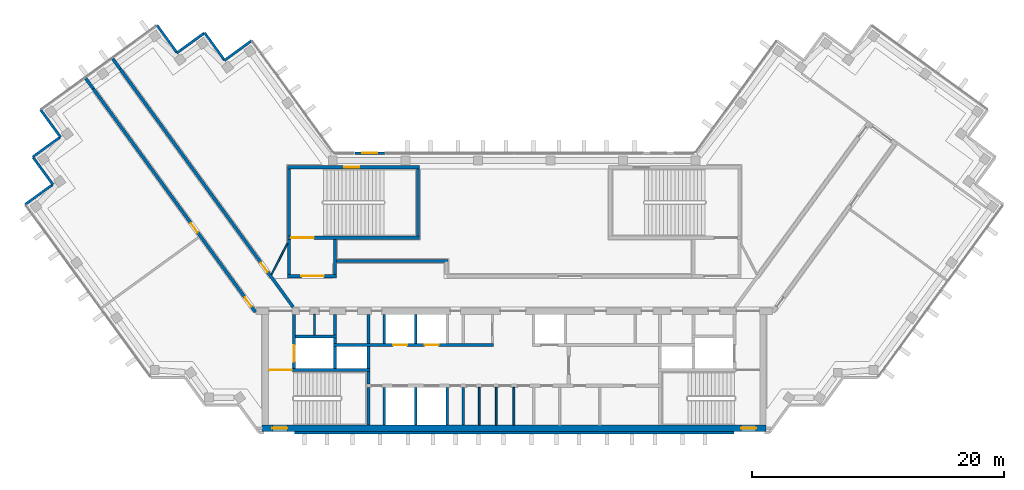
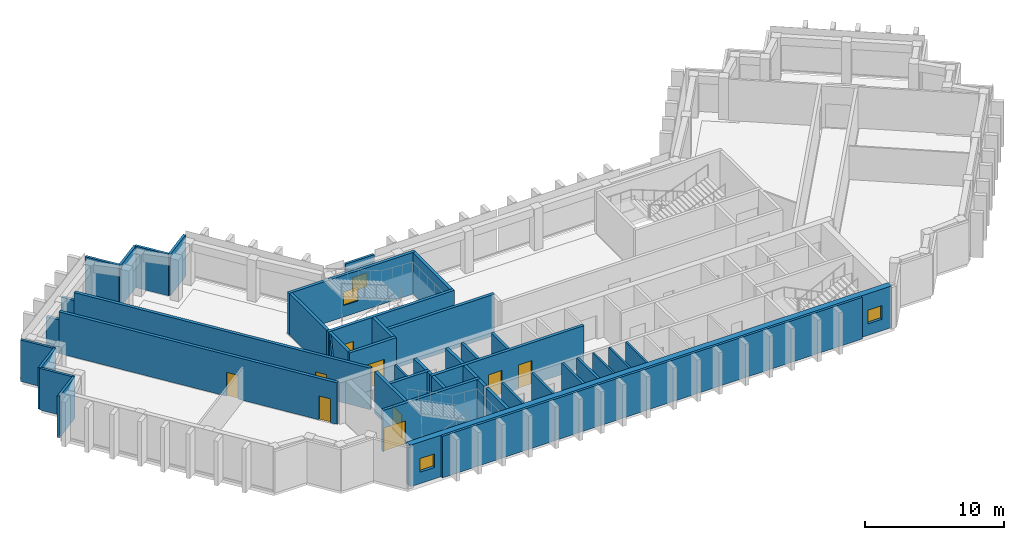
# One storey, part 3 of 8: 45 walls, 9 doors, 4 windows, 13 openings.
"""IFC4 building model written with IfcOpenShell, lengths in metres."""

from ifc_helpers import new_model, si_unit, direction, frame, frame_2d, origin, place, context, subcontext, project, spatial, rectangle, extrude, material, layer, layer_set, type_object, element, fill, save


model = new_model("IFC4")

# Units and contexts
model_context = context("Model", 3, precision=1e-05, world=origin(), true_north=direction((0.0, 1.0)))
body_context = subcontext(model_context, "Body", "Model", "MODEL_VIEW")
ifc_project = project(units=[si_unit("LENGTHUNIT", "METRE"), si_unit("AREAUNIT", "SQUARE_METRE"), si_unit("VOLUMEUNIT", "CUBIC_METRE"), si_unit("PLANEANGLEUNIT", "RADIAN"), si_unit("MASSUNIT", "GRAM", prefix="KILO")], contexts=[model_context])

# Site, building, storey
site_placement = place(None, origin())
site = spatial("IfcSite", under=ifc_project, at=site_placement, CompositionType="ELEMENT")
building_placement = place(site_placement, origin())
building = spatial("IfcBuilding", under=site, at=building_placement, Name="Quipu Civic Tower", CompositionType="ELEMENT")
storey_placement = place(building_placement, frame((0.0, 0.0, 281.0)))
storey = spatial("IfcBuildingStorey", under=building, at=storey_placement, Name="L65", CompositionType="ELEMENT", Elevation=281.0)

# Walls
ifc_material_1 = material(Name="Concrete C70/85", Category="concrete")
ifc_layer_1 = layer(ifc_material_1, 0.25)
ifc_layer_set_1 = layer_set([ifc_layer_1], Name="Concrete C70/85")
wall_type_1 = type_object("IfcWallType", Name="Core wall 250", PredefinedType="SHEAR", material=ifc_layer_set_1)
wall_1_placement = place(storey_placement, frame((-11.574951171875, -10.5, 0.0), z_axis=(0.0, 0.0, 1.0), x_axis=(0.0, 1.0, 0.0)))
element("IfcWall", 1, at=wall_1_placement, inside=storey, type_object=wall_type_1, Name="Core wall", PredefinedType="SHEAR", context=body_context, shape_type="SweptSolid", body=[
    extrude(rectangle(XDim=3.0, YDim=0.25, at=frame_2d((1.5, 0.0))), origin(), (0.0, 0.0, 1.0), 3.64990234375),
])
wall_2_placement = place(storey_placement, frame((-11.574951171875, -7.25, 0.0), z_axis=(0.0, 0.0, 1.0), x_axis=(0.0, 1.0, 0.0)))
element("IfcWall", 2, at=wall_2_placement, inside=storey, type_object=wall_type_1, Name="Core wall", PredefinedType="SHEAR", context=body_context, shape_type="SweptSolid", body=[
    extrude(rectangle(XDim=1.0, YDim=0.25, at=frame_2d((0.5, 0.0))), origin(), (0.0, 0.0, 1.0), 3.64990234375),
])

# Wall, opening, door
wall_3_placement = place(storey_placement, frame((-11.449951171875, -6.125, 0.0), z_axis=(0.0, 0.0, 1.0), x_axis=(-1.0, 0.0, 0.0)))
wall_3 = element("IfcWall", 3, at=wall_3_placement, inside=storey, type_object=wall_type_1, Name="Core wall", PredefinedType="SHEAR", context=body_context, shape_type="SweptSolid", body=[
    extrude(rectangle(XDim=8.050048828125, YDim=0.25, at=frame_2d((4.02490234375, 0.0))), origin(), (0.0, 0.0, 1.0), 3.64990234375),
])
opening_1_placement = place(wall_3_placement, frame((6.199951171875, 0.0, 0.0)))
opening_1 = element("IfcOpeningElement", 4, at=opening_1_placement, cuts=wall_3, Name="Opening CD-10", PredefinedType="OPENING", context=body_context, shape_type="SweptSolid", body=[
    extrude(rectangle(XDim=1.800048828125, YDim=2.10009765625, at=frame_2d((0.89990234375, 1.050048828125))), frame((0.0, 0.135009765625, 0.0), z_axis=(0.0, -1.0, 0.0), x_axis=(1.0, 0.0, 0.0)), (0.0, 0.0, 1.0), 0.27001953125),
])
ifc_material_2 = material(Name="Fire rated steel door", Category="steel")
door_type_1 = type_object("IfcDoorType", Name="Fire door FD90 double 1800 x 2100", OperationType="NOTDEFINED", PredefinedType="DOOR", material=ifc_material_2)
door_1_placement = place(opening_1_placement, origin())
door_1 = element("IfcDoor", 5, at=door_1_placement, inside=storey, type_object=door_type_1, Name="Door", OperationType="DOUBLE_DOOR_SINGLE_SWING", OverallHeight=2.10009765625, OverallWidth=1.800048828125, PredefinedType="DOOR", context=body_context, shape_type="SweptSolid", body=[
    extrude(rectangle(XDim=1.800048828125, YDim=2.10009765625, at=frame_2d((0.89990234375, 1.050048828125))), frame((0.0, 0.02490234375, 0.0), z_axis=(0.0, -1.0, 0.0), x_axis=(1.0, 0.0, 0.0)), (0.0, 0.0, 1.0), 0.050048828125),
])
fill(opening_1, door_1)

wall_4_placement = place(storey_placement, frame((-17.47509765625, -6.0, 0.0), z_axis=(0.0, 0.0, 1.0), x_axis=(0.0, 1.0, 0.0)))
wall_4 = element("IfcWall", 6, at=wall_4_placement, inside=storey, type_object=wall_type_1, Name="Core wall", PredefinedType="SHEAR", context=body_context, shape_type="SweptSolid", body=[
    extrude(rectangle(XDim=4.300048828125, YDim=0.25, at=frame_2d((2.14990234375, 0.0))), origin(), (0.0, 0.0, 1.0), 3.64990234375),
])
opening_2_placement = place(wall_4_placement, frame((0.550048828125, 0.0, 0.0)))
opening_2 = element("IfcOpeningElement", 7, at=opening_2_placement, cuts=wall_4, Name="Opening LD-FF1", PredefinedType="OPENING", context=body_context, shape_type="SweptSolid", body=[
    extrude(rectangle(XDim=1.300048828125, YDim=2.10009765625, at=frame_2d((0.64990234375, 1.050048828125))), frame((0.0, 0.135009765625, 0.0), z_axis=(0.0, -1.0, 0.0), x_axis=(1.0, 0.0, 0.0)), (0.0, 0.0, 1.0), 0.27001953125),
])
ifc_material_3 = material(Name="Stainless steel", Category="steel")
door_type_2 = type_object("IfcDoorType", Name="Lift landing door 1300 x 2100", OperationType="DOUBLE_DOOR_SLIDING", PredefinedType="DOOR", material=ifc_material_3)
door_2_placement = place(opening_2_placement, origin())
door_2 = element("IfcDoor", 8, at=door_2_placement, inside=storey, type_object=door_type_2, Name="Landing door FF1", OperationType="DOUBLE_DOOR_SLIDING", OverallHeight=2.10009765625, OverallWidth=1.300048828125, PredefinedType="DOOR", context=body_context, shape_type="SweptSolid", body=[
    extrude(rectangle(XDim=1.300048828125, YDim=2.10009765625, at=frame_2d((0.64990234375, 1.050048828125))), frame((0.0, 0.02490234375, 0.0), z_axis=(0.0, -1.0, 0.0), x_axis=(1.0, 0.0, 0.0)), (0.0, 0.0, 1.0), 0.050048828125),
])
fill(opening_2, door_2)

# Walls
for number, where, z_axis, x_axis, name in (
    (9, (-14.22509765625, -6.0, 0.0), (0.0, 0.0, 1.0), (0.0, 1.0, 0.0), "Core wall"),
    (10, (-11.574951171875, -6.0, 0.0), (0.0, 0.0, 1.0), (0.0, 1.0, 0.0), "Core wall"),
):
    element("IfcWall", number, at=place(storey_placement, frame(where, z_axis=z_axis, x_axis=x_axis)), inside=storey, type_object=wall_type_1, Name=name, PredefinedType="SHEAR", context=body_context, shape_type="SweptSolid", body=[
        extrude(rectangle(XDim=1.75, YDim=0.25, at=frame_2d((0.875, 0.0))), origin(), (0.0, 0.0, 1.0), 3.64990234375),
    ])

# Wall, openings, doors
wall_5_placement = place(storey_placement, frame((-14.35009765625, -4.125, 0.0), z_axis=(0.0, 0.0, 1.0), x_axis=(1.0, 0.0, 0.0)))
wall_5 = element("IfcWall", 11, at=wall_5_placement, inside=storey, type_object=wall_type_1, Name="Core wall", PredefinedType="SHEAR", context=body_context, shape_type="SweptSolid", body=[
    extrude(rectangle(XDim=12.7001953125, YDim=0.25, at=frame_2d((6.35009765625, 0.0))), origin(), (0.0, 0.0, 1.0), 3.64990234375),
])
opening_3_placement = place(wall_5_placement, frame((4.75, 0.0, 0.0)))
opening_3 = element("IfcOpeningElement", 12, at=opening_3_placement, cuts=wall_5, Name="Opening LD-HL3", PredefinedType="OPENING", context=body_context, shape_type="SweptSolid", body=[
    extrude(rectangle(XDim=1.10009765625, YDim=2.10009765625, at=frame_2d((0.550048828125, 1.050048828125))), frame((0.0, 0.135009765625, 0.0), z_axis=(0.0, -1.0, 0.0), x_axis=(1.0, 0.0, 0.0)), (0.0, 0.0, 1.0), 0.27001953125),
])
opening_4_placement = place(wall_5_placement, frame((7.25, 0.0, 0.0)))
opening_4 = element("IfcOpeningElement", 13, at=opening_4_placement, cuts=wall_5, Name="Opening LD-HL4", PredefinedType="OPENING", context=body_context, shape_type="SweptSolid", body=[
    extrude(rectangle(XDim=1.10009765625, YDim=2.10009765625, at=frame_2d((0.550048828125, 1.050048828125))), frame((0.0, 0.135009765625, 0.0), z_axis=(0.0, -1.0, 0.0), x_axis=(1.0, 0.0, 0.0)), (0.0, 0.0, 1.0), 0.27001953125),
])
ifc_material_4 = material(Name="Stainless steel", Category="steel")
door_type_3 = type_object("IfcDoorType", Name="Lift landing door 1100 x 2100", OperationType="DOUBLE_DOOR_SLIDING", PredefinedType="DOOR", material=ifc_material_4)
door_3_placement = place(opening_3_placement, origin())
door_3 = element("IfcDoor", 14, at=door_3_placement, inside=storey, type_object=door_type_3, Name="Landing door HL3", OperationType="DOUBLE_DOOR_SLIDING", OverallHeight=2.10009765625, OverallWidth=1.10009765625, PredefinedType="DOOR", context=body_context, shape_type="SweptSolid", body=[
    extrude(rectangle(XDim=1.10009765625, YDim=2.10009765625, at=frame_2d((0.550048828125, 1.050048828125))), frame((0.0, 0.02490234375, 0.0), z_axis=(0.0, -1.0, 0.0), x_axis=(1.0, 0.0, 0.0)), (0.0, 0.0, 1.0), 0.050048828125),
])
fill(opening_3, door_3)
door_4_placement = place(opening_4_placement, origin())
door_4 = element("IfcDoor", 15, at=door_4_placement, inside=storey, type_object=door_type_3, Name="Landing door HL4", OperationType="DOUBLE_DOOR_SLIDING", OverallHeight=2.10009765625, OverallWidth=1.10009765625, PredefinedType="DOOR", context=body_context, shape_type="SweptSolid", body=[
    extrude(rectangle(XDim=1.10009765625, YDim=2.10009765625, at=frame_2d((0.550048828125, 1.050048828125))), frame((0.0, 0.02490234375, 0.0), z_axis=(0.0, -1.0, 0.0), x_axis=(1.0, 0.0, 0.0)), (0.0, 0.0, 1.0), 0.050048828125),
])
fill(opening_4, door_4)

# Walls
wall_6_placement = place(storey_placement, frame((-14.22509765625, -4.0, 0.0), z_axis=(0.0, 0.0, 1.0), x_axis=(0.0, 1.0, 0.0)))
element("IfcWall", 16, at=wall_6_placement, inside=storey, type_object=wall_type_1, Name="Core wall", PredefinedType="SHEAR", context=body_context, shape_type="SweptSolid", body=[
    extrude(rectangle(XDim=0.39990234375, YDim=0.25, at=frame_2d((0.199951171875, 0.0))), origin(), (0.0, 0.0, 1.0), 3.64990234375),
])
wall_7_placement = place(storey_placement, frame((-11.574951171875, -4.0, 0.0), z_axis=(0.0, 0.0, 1.0), x_axis=(0.0, 1.0, 0.0)))
element("IfcWall", 17, at=wall_7_placement, inside=storey, type_object=wall_type_1, Name="Core wall", PredefinedType="SHEAR", context=body_context, shape_type="SweptSolid", body=[
    extrude(rectangle(XDim=2.300048828125, YDim=0.25, at=frame_2d((1.14990234375, 0.0))), origin(), (0.0, 0.0, 1.0), 3.64990234375),
])
wall_8_placement = place(storey_placement, frame((-17.35009765625, -3.47509765625, 0.0), z_axis=(0.0, 0.0, 1.0), x_axis=(1.0, 0.0, 0.0)))
element("IfcWall", 18, at=wall_8_placement, inside=storey, type_object=wall_type_1, Name="Core wall", PredefinedType="SHEAR", context=body_context, shape_type="SweptSolid", body=[
    extrude(rectangle(XDim=3.25, YDim=0.25, at=frame_2d((1.625, 0.0))), origin(), (0.0, 0.0, 1.0), 3.64990234375),
])
wall_9_placement = place(storey_placement, frame((-14.22509765625, -3.35009765625, 0.0), z_axis=(0.0, 0.0, 1.0), x_axis=(0.0, 1.0, 0.0)))
element("IfcWall", 19, at=wall_9_placement, inside=storey, type_object=wall_type_1, Name="Core wall", PredefinedType="SHEAR", context=body_context, shape_type="SweptSolid", body=[
    extrude(rectangle(XDim=1.650146484375, YDim=0.25, at=frame_2d((0.8251953125, 0.0))), origin(), (0.0, 0.0, 1.0), 3.64990234375),
])

# Wall, opening, door
wall_10_placement = place(storey_placement, frame((-18.0, 1.324951171875, 0.0), z_axis=(0.0, 0.0, 1.0), x_axis=(1.0, 0.0, 0.0)))
wall_10 = element("IfcWall", 20, at=wall_10_placement, inside=storey, type_object=wall_type_1, Name="Core wall", PredefinedType="SHEAR", context=body_context, shape_type="SweptSolid", body=[
    extrude(rectangle(XDim=3.89990234375, YDim=0.25, at=frame_2d((1.949951171875, 0.0))), origin(), (0.0, 0.0, 1.0), 3.64990234375),
])
opening_5_placement = place(wall_10_placement, frame((1.10009765625, 0.0, 0.0)))
opening_5 = element("IfcOpeningElement", 21, at=opening_5_placement, cuts=wall_10, Name="Opening CD-26", PredefinedType="OPENING", context=body_context, shape_type="SweptSolid", body=[
    extrude(rectangle(XDim=1.800048828125, YDim=2.10009765625, at=frame_2d((0.89990234375, 1.050048828125))), frame((0.0, 0.135009765625, 0.0), z_axis=(0.0, -1.0, 0.0), x_axis=(1.0, 0.0, 0.0)), (0.0, 0.0, 1.0), 0.27001953125),
])
door_5_placement = place(opening_5_placement, origin())
door_5 = element("IfcDoor", 22, at=door_5_placement, inside=storey, type_object=door_type_1, Name="Lobby door", OperationType="DOUBLE_DOOR_SINGLE_SWING", OverallHeight=2.10009765625, OverallWidth=1.800048828125, PredefinedType="DOOR", context=body_context, shape_type="SweptSolid", body=[
    extrude(rectangle(XDim=1.800048828125, YDim=2.10009765625, at=frame_2d((0.89990234375, 1.050048828125))), frame((0.0, 0.02490234375, 0.0), z_axis=(0.0, -1.0, 0.0), x_axis=(1.0, 0.0, 0.0)), (0.0, 0.0, 1.0), 0.050048828125),
])
fill(opening_5, door_5)

# Walls
for number, where, z_axis, x_axis, name in (
    (23, (-17.875, 1.449951171875, 0.0), (0.0, 0.0, 1.0), (0.0, 1.0, 0.0), "Core wall"),
    (24, (-14.22509765625, 1.449951171875, 0.0), (0.0, 0.0, 1.0), (0.0, 1.0, 0.0), "Core wall"),
):
    element("IfcWall", number, at=place(storey_placement, frame(where, z_axis=z_axis, x_axis=x_axis)), inside=storey, type_object=wall_type_1, Name=name, PredefinedType="SHEAR", context=body_context, shape_type="SweptSolid", body=[
        extrude(rectangle(XDim=2.800048828125, YDim=0.25, at=frame_2d((1.39990234375, 0.0))), origin(), (0.0, 0.0, 1.0), 3.64990234375),
    ])

# Wall, opening, door
wall_11_placement = place(storey_placement, frame((-18.0, 4.375, 0.0), z_axis=(0.0, 0.0, 1.0), x_axis=(1.0, 0.0, 0.0)))
wall_11 = element("IfcWall", 25, at=wall_11_placement, inside=storey, type_object=wall_type_1, Name="Core wall", PredefinedType="SHEAR", context=body_context, shape_type="SweptSolid", body=[
    extrude(rectangle(XDim=10.5, YDim=0.25, at=frame_2d((5.25, 0.0))), origin(), (0.0, 0.0, 1.0), 3.64990234375),
])
opening_6_placement = place(wall_11_placement, frame((0.300048828125, 0.0, 0.0)))
opening_6 = element("IfcOpeningElement", 26, at=opening_6_placement, cuts=wall_11, Name="Opening CD-27", PredefinedType="OPENING", context=body_context, shape_type="SweptSolid", body=[
    extrude(rectangle(XDim=1.800048828125, YDim=2.10009765625, at=frame_2d((0.89990234375, 1.050048828125))), frame((0.0, 0.135009765625, 0.0), z_axis=(0.0, -1.0, 0.0), x_axis=(1.0, 0.0, 0.0)), (0.0, 0.0, 1.0), 0.27001953125),
])
door_6_placement = place(opening_6_placement, origin())
door_6 = element("IfcDoor", 27, at=door_6_placement, inside=storey, type_object=door_type_1, Name="Door", OperationType="DOUBLE_DOOR_SINGLE_SWING", OverallHeight=2.10009765625, OverallWidth=1.800048828125, PredefinedType="DOOR", context=body_context, shape_type="SweptSolid", body=[
    extrude(rectangle(XDim=1.800048828125, YDim=2.10009765625, at=frame_2d((0.89990234375, 1.050048828125))), frame((0.0, 0.02490234375, 0.0), z_axis=(0.0, -1.0, 0.0), x_axis=(1.0, 0.0, 0.0)), (0.0, 0.0, 1.0), 0.050048828125),
])
fill(opening_6, door_6)

# Walls
for number, where, z_axis, x_axis, name in (
    (28, (-17.875, 4.5, 0.0), (0.0, 0.0, 1.0), (0.0, 1.0, 0.0), "Core wall"),
    (29, (-7.625, 4.5, 0.0), (0.0, 0.0, 1.0), (0.0, 1.0, 0.0), "Core wall"),
):
    element("IfcWall", number, at=place(storey_placement, frame(where, z_axis=z_axis, x_axis=x_axis)), inside=storey, type_object=wall_type_1, Name=name, PredefinedType="SHEAR", context=body_context, shape_type="SweptSolid", body=[
        extrude(rectangle(XDim=5.35009765625, YDim=0.25, at=frame_2d((2.675048828125, 0.0))), origin(), (0.0, 0.0, 1.0), 3.64990234375),
    ])

# Wall, opening, window
wall_12_placement = place(storey_placement, frame((-18.0, 9.97509765625, 0.0), z_axis=(0.0, 0.0, 1.0), x_axis=(1.0, 0.0, 0.0)))
wall_12 = element("IfcWall", 30, at=wall_12_placement, inside=storey, type_object=wall_type_1, Name="Core wall", PredefinedType="SHEAR", context=body_context, shape_type="SweptSolid", body=[
    extrude(rectangle(XDim=10.5, YDim=0.25, at=frame_2d((5.25, 0.0))), origin(), (0.0, 0.0, 1.0), 3.64990234375),
])
opening_7_placement = place(wall_12_placement, frame((4.5, 0.0, 1.0)))
opening_7 = element("IfcOpeningElement", 31, at=opening_7_placement, cuts=wall_12, Name="Opening SV-3", PredefinedType="OPENING", context=body_context, shape_type="SweptSolid", body=[
    extrude(rectangle(XDim=1.199951171875, YDim=1.199951171875, at=frame_2d((0.60009765625, 0.60009765625))), frame((0.0, 0.135009765625, 0.0), z_axis=(0.0, -1.0, 0.0), x_axis=(1.0, 0.0, 0.0)), (0.0, 0.0, 1.0), 0.27001953125),
])
ifc_material_5 = material(Name="Aluminium louvre", Category="aluminium")
window_type_1 = type_object("IfcWindowType", Name="Stair ventilation louvre 1200 x 1200", PartitioningType="SINGLE_PANEL", PredefinedType="WINDOW", material=ifc_material_5)
window_1_placement = place(opening_7_placement, origin())
window_1 = element("IfcWindow", 32, at=window_1_placement, inside=storey, type_object=window_type_1, Name="Stair ventilation opening", OverallHeight=1.199951171875, OverallWidth=1.199951171875, PartitioningType="SINGLE_PANEL", PredefinedType="WINDOW", context=body_context, shape_type="SweptSolid", body=[
    extrude(rectangle(XDim=1.199951171875, YDim=1.199951171875, at=frame_2d((0.60009765625, 0.60009765625))), frame((0.0, 0.030029296875, 0.0), z_axis=(0.0, -1.0, 0.0), x_axis=(1.0, 0.0, 0.0)), (0.0, 0.0, 1.0), 0.06005859375),
])
fill(opening_7, window_1)

# Wall, openings, windows
ifc_material_6 = material(Name="Concrete C70/85", Category="concrete")
ifc_layer_2 = layer(ifc_material_6, 0.5)
ifc_layer_set_2 = layer_set([ifc_layer_2], Name="Concrete C70/85")
wall_type_2 = type_object("IfcWallType", Name="Core wall 500", PredefinedType="SHEAR", material=ifc_layer_set_2)
wall_13_placement = place(storey_placement, frame((-20.0, -10.75, 0.0), z_axis=(0.0, 0.0, 1.0), x_axis=(1.0, 0.0, 0.0)))
wall_13 = element("IfcWall", 33, at=wall_13_placement, inside=storey, type_object=wall_type_2, Name="Core wall", PredefinedType="SHEAR", context=body_context, shape_type="SweptSolid", body=[
    extrude(rectangle(XDim=40.0, YDim=0.5, at=frame_2d((20.0, 0.0))), origin(), (0.0, 0.0, 1.0), 3.64990234375),
])
opening_8_placement = place(wall_13_placement, frame((0.800048828125, 0.0, 1.0)))
opening_8 = element("IfcOpeningElement", 34, at=opening_8_placement, cuts=wall_13, Name="Opening SV-1", PredefinedType="OPENING", context=body_context, shape_type="SweptSolid", body=[
    extrude(rectangle(XDim=1.199951171875, YDim=1.199951171875, at=frame_2d((0.60009765625, 0.60009765625))), frame((0.0, 0.260009765625, 0.0), z_axis=(0.0, -1.0, 0.0), x_axis=(1.0, 0.0, 0.0)), (0.0, 0.0, 1.0), 0.52001953125),
])
opening_9_placement = place(wall_13_placement, frame((38.0, 0.0, 1.0)))
opening_9 = element("IfcOpeningElement", 35, at=opening_9_placement, cuts=wall_13, Name="Opening SV-2", PredefinedType="OPENING", context=body_context, shape_type="SweptSolid", body=[
    extrude(rectangle(XDim=1.199951171875, YDim=1.199951171875, at=frame_2d((0.60009765625, 0.60009765625))), frame((0.0, 0.260009765625, 0.0), z_axis=(0.0, -1.0, 0.0), x_axis=(1.0, 0.0, 0.0)), (0.0, 0.0, 1.0), 0.52001953125),
])
window_2_placement = place(opening_8_placement, origin())
window_2 = element("IfcWindow", 36, at=window_2_placement, inside=storey, type_object=window_type_1, Name="Stair ventilation opening", OverallHeight=1.199951171875, OverallWidth=1.199951171875, PartitioningType="SINGLE_PANEL", PredefinedType="WINDOW", context=body_context, shape_type="SweptSolid", body=[
    extrude(rectangle(XDim=1.199951171875, YDim=1.199951171875, at=frame_2d((0.60009765625, 0.60009765625))), frame((0.0, 0.030029296875, 0.0), z_axis=(0.0, -1.0, 0.0), x_axis=(1.0, 0.0, 0.0)), (0.0, 0.0, 1.0), 0.06005859375),
])
fill(opening_8, window_2)
window_3_placement = place(opening_9_placement, origin())
window_3 = element("IfcWindow", 37, at=window_3_placement, inside=storey, type_object=window_type_1, Name="Stair ventilation opening", OverallHeight=1.199951171875, OverallWidth=1.199951171875, PartitioningType="SINGLE_PANEL", PredefinedType="WINDOW", context=body_context, shape_type="SweptSolid", body=[
    extrude(rectangle(XDim=1.199951171875, YDim=1.199951171875, at=frame_2d((0.60009765625, 0.60009765625))), frame((0.0, 0.030029296875, 0.0), z_axis=(0.0, -1.0, 0.0), x_axis=(1.0, 0.0, 0.0)), (0.0, 0.0, 1.0), 0.06005859375),
])
fill(opening_9, window_3)

# Wall, openings, doors
ifc_material_7 = material(Name="Concrete C50/60", Category="concrete")
ifc_layer_3 = layer(ifc_material_7, 0.25)
ifc_layer_set_3 = layer_set([ifc_layer_3], Name="Concrete C50/60")
wall_type_3 = type_object("IfcWallType", Name="Corridor wall 250 concrete", PredefinedType="SOLIDWALL", material=ifc_layer_set_3)
wall_14_placement = place(storey_placement, frame((-20.531005859375, -1.5234375, 0.0), z_axis=(0.0, 0.0, 1.0), x_axis=(-0.587786711753, 0.809015934013, 0.0)))
wall_14 = element("IfcWall", 38, at=wall_14_placement, inside=storey, type_object=wall_type_3, Name="Corridor wall C05", PredefinedType="SOLIDWALL", context=body_context, shape_type="SweptSolid", body=[
    extrude(rectangle(XDim=21.911376953125, YDim=0.25, at=frame_2d((10.95556640625, 0.0))), origin(), (0.0, 0.0, 1.0), 3.64990234375),
])
opening_10_placement = place(wall_14_placement, frame((0.53271484375, 0.0, 0.0)))
opening_10 = element("IfcOpeningElement", 39, at=opening_10_placement, cuts=wall_14, Name="Opening D008", PredefinedType="OPENING", context=body_context, shape_type="SweptSolid", body=[
    extrude(rectangle(XDim=0.89990234375, YDim=2.10009765625, at=frame_2d((0.449951171875, 1.050048828125))), frame((0.0, 0.135009765625, 0.0), z_axis=(0.0, -1.0, 0.0), x_axis=(1.0, 0.0, 0.0)), (0.0, 0.0, 1.0), 0.27001953125),
])
opening_11_placement = place(wall_14_placement, frame((7.81591796875, 0.0, 0.0)))
opening_11 = element("IfcOpeningElement", 40, at=opening_11_placement, cuts=wall_14, Name="Opening D007", PredefinedType="OPENING", context=body_context, shape_type="SweptSolid", body=[
    extrude(rectangle(XDim=0.89990234375, YDim=2.10009765625, at=frame_2d((0.449951171875, 1.050048828125))), frame((0.0, 0.135009765625, 0.0), z_axis=(0.0, -1.0, 0.0), x_axis=(1.0, 0.0, 0.0)), (0.0, 0.0, 1.0), 0.27001953125),
])
ifc_material_8 = material(Name="Fire rated timber door set with metal frame", Category="wood")
door_type_4 = type_object("IfcDoorType", Name="Single door 900 x 2100 FD60", OperationType="NOTDEFINED", PredefinedType="DOOR", material=ifc_material_8)
door_7_placement = place(opening_10_placement, origin())
door_7 = element("IfcDoor", 41, at=door_7_placement, inside=storey, type_object=door_type_4, Name="Door D008", OperationType="SINGLE_SWING_LEFT", OverallHeight=2.10009765625, OverallWidth=0.89990234375, PredefinedType="DOOR", context=body_context, shape_type="SweptSolid", body=[
    extrude(rectangle(XDim=0.89990234375, YDim=2.10009765625, at=frame_2d((0.449951171875, 1.050048828125))), frame((0.0, 0.02490234375, 0.0), z_axis=(0.0, -1.0, 0.0), x_axis=(1.0, 0.0, 0.0)), (0.0, 0.0, 1.0), 0.050048828125),
])
fill(opening_10, door_7)
door_8_placement = place(opening_11_placement, origin())
door_8 = element("IfcDoor", 42, at=door_8_placement, inside=storey, type_object=door_type_4, Name="Door D007", OperationType="SINGLE_SWING_LEFT", OverallHeight=2.10009765625, OverallWidth=0.89990234375, PredefinedType="DOOR", context=body_context, shape_type="SweptSolid", body=[
    extrude(rectangle(XDim=0.89990234375, YDim=2.10009765625, at=frame_2d((0.449951171875, 1.050048828125))), frame((0.0, 0.02490234375, 0.0), z_axis=(0.0, -1.0, 0.0), x_axis=(1.0, 0.0, 0.0)), (0.0, 0.0, 1.0), 0.050048828125),
])
fill(opening_11, door_8)

# Wall, opening, door
wall_15_placement = place(storey_placement, frame((-31.266845703125, 17.76171875, 0.0), z_axis=(0.0, 0.0, 1.0), x_axis=(0.587787966774, -0.809015022181, 0.0)))
wall_15 = element("IfcWall", 43, at=wall_15_placement, inside=storey, type_object=wall_type_3, Name="Corridor wall C06", PredefinedType="SOLIDWALL", context=body_context, shape_type="SweptSolid", body=[
    extrude(rectangle(XDim=23.344970703125, YDim=0.25, at=frame_2d((11.67236328125, 0.0))), origin(), (0.0, 0.0, 1.0), 3.64990234375),
])
opening_12_placement = place(wall_15_placement, frame((19.003662109375, 0.0, 0.0)))
opening_12 = element("IfcOpeningElement", 44, at=opening_12_placement, cuts=wall_15, Name="Opening D006", PredefinedType="OPENING", context=body_context, shape_type="SweptSolid", body=[
    extrude(rectangle(XDim=0.89990234375, YDim=2.10009765625, at=frame_2d((0.449951171875, 1.050048828125))), frame((0.0, 0.135009765625, 0.0), z_axis=(0.0, -1.0, 0.0), x_axis=(1.0, 0.0, 0.0)), (0.0, 0.0, 1.0), 0.27001953125),
])
door_9_placement = place(opening_12_placement, origin())
door_9 = element("IfcDoor", 45, at=door_9_placement, inside=storey, type_object=door_type_4, Name="Door D006", OperationType="SINGLE_SWING_RIGHT", OverallHeight=2.10009765625, OverallWidth=0.89990234375, PredefinedType="DOOR", context=body_context, shape_type="SweptSolid", body=[
    extrude(rectangle(XDim=0.89990234375, YDim=2.10009765625, at=frame_2d((0.449951171875, 1.050048828125))), frame((0.0, 0.02490234375, 0.0), z_axis=(0.0, -1.0, 0.0), x_axis=(1.0, 0.0, 0.0)), (0.0, 0.0, 1.0), 0.050048828125),
])
fill(opening_12, door_9)

# Walls
wall_16_placement = place(storey_placement, frame((-14.090087890625, 2.52490234375, 0.0), z_axis=(0.0, 0.0, 1.0), x_axis=(1.0, 0.0, 0.0)))
element("IfcWall", 46, at=wall_16_placement, inside=storey, type_object=wall_type_3, Name="Corridor wall C07", PredefinedType="SOLIDWALL", context=body_context, shape_type="SweptSolid", body=[
    extrude(rectangle(XDim=8.840087890625, YDim=0.25, at=frame_2d((4.419921875, 0.0))), origin(), (0.0, 0.0, 1.0), 3.64990234375),
])
wall_17_placement = place(storey_placement, frame((-33.41015625, 16.203125, 0.0), z_axis=(0.0, 0.0, 1.0), x_axis=(-0.587696850957, 0.809081214326, 0.0)))
element("IfcWall", 47, at=wall_17_placement, inside=storey, type_object=wall_type_3, Name="Corridor wall C05", PredefinedType="SOLIDWALL", context=body_context, shape_type="SweptSolid", body=[
    extrude(rectangle(XDim=1.009033203125, YDim=0.25, at=frame_2d((0.50439453125, 0.0))), origin(), (0.0, 0.0, 1.0), 2.949951171875),
])
wall_18_placement = place(storey_placement, frame((-31.266845703125, 17.76171875, 0.0), z_axis=(0.0, 0.0, 1.0), x_axis=(-0.587840411638, 0.808976915892, 0.0)))
element("IfcWall", 48, at=wall_18_placement, inside=storey, type_object=wall_type_3, Name="Corridor wall C06", PredefinedType="SOLIDWALL", context=body_context, shape_type="SweptSolid", body=[
    extrude(rectangle(XDim=1.008056640625, YDim=0.25, at=frame_2d((0.50390625, 0.0))), origin(), (0.0, 0.0, 1.0), 2.949951171875),
])
ifc_material_9 = material(Name="Gypsum plasterboard on light gauge framing")
ifc_layer_4 = layer(ifc_material_9, 0.1201171875)
ifc_layer_set_4 = layer_set([ifc_layer_4], Name="Gypsum plasterboard on light gauge framing")
wall_type_4 = type_object("IfcWallType", Name="Partition 120 plasterboard", PredefinedType="PARTITIONING", material=ifc_layer_set_4)
wall_19_placement = place(storey_placement, frame((-19.260986328125, 1.449951171875, 0.0), z_axis=(0.0, 0.0, 1.0), x_axis=(0.453950796792, 0.891026752736, 0.0)))
element("IfcWall", 49, at=wall_19_placement, inside=storey, type_object=wall_type_4, Name="Partition P06", PredefinedType="PARTITIONING", context=body_context, shape_type="SweptSolid", body=[
    extrude(rectangle(XDim=2.77783203125, YDim=0.1201171875, at=frame_2d((1.388916015625, 0.0))), origin(), (0.0, 0.0, 1.0), 3.64990234375),
])
ifc_material_10 = material(Name="Gypsum board partition")
ifc_layer_5 = layer(ifc_material_10, 0.14990234375)
ifc_layer_set_5 = layer_set([ifc_layer_5], Name="Gypsum board partition")
wall_type_5 = type_object("IfcWallType", Name="Partition 150", PredefinedType="PARTITIONING", material=ifc_layer_set_5)
for number, where, z_axis, x_axis, name in (
    (50, (-2.77490234375, -10.5, 0.0), (0.0, 0.0, 1.0), (0.0, 1.0, 0.0), "Partition"),
    (51, (-1.425048828125, -10.5, 0.0), (0.0, 0.0, 1.0), (0.0, 1.0, 0.0), "Partition"),
    (52, (-0.02490234375, -10.5, 0.0), (0.0, 0.0, 1.0), (0.0, 1.0, 0.0), "Partition"),
):
    element("IfcWall", number, at=place(storey_placement, frame(where, z_axis=z_axis, x_axis=x_axis)), inside=storey, type_object=wall_type_5, Name=name, PredefinedType="PARTITIONING", context=body_context, shape_type="SweptSolid", body=[
        extrude(rectangle(XDim=3.0, YDim=0.14990234375, at=frame_2d((1.5, 0.0))), origin(), (0.0, 0.0, 1.0), 3.64990234375),
    ])
wall_20_placement = place(storey_placement, frame((-15.85009765625, -3.35009765625, 0.0), z_axis=(0.0, 0.0, 1.0), x_axis=(0.0, 1.0, 0.0)))
element("IfcWall", 53, at=wall_20_placement, inside=storey, type_object=wall_type_5, Name="Partition", PredefinedType="PARTITIONING", context=body_context, shape_type="SweptSolid", body=[
    extrude(rectangle(XDim=1.650146484375, YDim=0.14990234375, at=frame_2d((0.8251953125, 0.0))), origin(), (0.0, 0.0, 1.0), 3.64990234375),
])
ifc_material_11 = material(Name="Precast concrete C40/50", Category="concrete")
wall_type_6 = type_object("IfcWallType", Name="Precast cladding wall", PredefinedType="SOLIDWALL", material=ifc_material_11)
for number, where, z_axis, x_axis, name in (
    (54, (-20.828857421875, 20.025390625, 0.0), (0.0, 0.0, 1.0), (-0.808990163075, -0.587822180636, 0.0), "Precast cladding wall L65 2"),
    (55, (-22.996337890625, 18.465576171875, 0.0), (0.0, 0.0, 1.0), (-0.587762999008, 0.809033161865, 0.0), "Precast cladding wall L65 3"),
):
    element("IfcWall", number, at=place(storey_placement, frame(where, z_axis=z_axis, x_axis=x_axis)), inside=storey, type_object=wall_type_6, Name=name, PredefinedType="SOLIDWALL", context=body_context, shape_type="SweptSolid", body=[
        extrude(rectangle(XDim=2.699951171875, YDim=0.199951171875, at=frame_2d((1.35009765625, 0.0))), origin(), (0.0, 0.0, 1.0), 3.64990234375),
    ])
for number, where, z_axis, x_axis, name in (
    (56, (-24.60009765625, 20.62255859375, 0.0), (0.0, 0.0, 1.0), (-0.809064397168, -0.587720002413, 0.0), "Precast cladding wall L65 4"),
    (57, (-26.767578125, 19.062744140625, 0.0), (0.0, 0.0, 1.0), (-0.587720002413, 0.809064397168, 0.0), "Precast cladding wall L65 5"),
):
    element("IfcWall", number, at=place(storey_placement, frame(where, z_axis=z_axis, x_axis=x_axis)), inside=storey, type_object=wall_type_6, Name=name, PredefinedType="SOLIDWALL", context=body_context, shape_type="SweptSolid", body=[
        extrude(rectangle(XDim=2.7001953125, YDim=0.199951171875, at=frame_2d((1.35009765625, 0.0))), origin(), (0.0, 0.0, 1.0), 3.64990234375),
    ])
for number, where, z_axis, x_axis, name in (
    (58, (-37.591796875, 14.535888671875, 0.0), (0.0, 0.0, 1.0), (0.587762999008, -0.809033161865, 0.0), "Precast cladding wall L65 7"),
    (59, (-36.031982421875, 12.36865234375, 0.0), (0.0, 0.0, 1.0), (-0.809033161865, -0.587762999008, 0.0), "Precast cladding wall L65 8"),
    (60, (-38.189208984375, 10.7646484375, 0.0), (0.0, 0.0, 1.0), (0.587822180636, -0.808990163075, 0.0), "Precast cladding wall L65 9"),
    (61, (-36.62939453125, 8.597412109375, 0.0), (0.0, 0.0, 1.0), (-0.809033161865, -0.587762999008, 0.0), "Precast cladding wall L65 10"),
):
    element("IfcWall", number, at=place(storey_placement, frame(where, z_axis=z_axis, x_axis=x_axis)), inside=storey, type_object=wall_type_6, Name=name, PredefinedType="SOLIDWALL", context=body_context, shape_type="SweptSolid", body=[
        extrude(rectangle(XDim=2.699951171875, YDim=0.199951171875, at=frame_2d((1.35009765625, 0.0))), origin(), (0.0, 0.0, 1.0), 3.64990234375),
    ])
wall_21_placement = place(storey_placement, frame((-17.44384765625, -11.087890625, 0.0), z_axis=(0.0, 0.0, 1.0), x_axis=(1.0, 0.0, 0.0)))
element("IfcWall", 62, at=wall_21_placement, inside=storey, type_object=wall_type_6, Name="Precast cladding wall L65 17", PredefinedType="SOLIDWALL", context=body_context, shape_type="SweptSolid", body=[
    extrude(rectangle(XDim=34.8876953125, YDim=0.199951171875, at=frame_2d((17.44384765625, 0.0))), origin(), (0.0, 0.0, 1.0), 3.64990234375),
])

# Wall, opening, window
wall_22_placement = place(storey_placement, frame((-10.263427734375, 11.10009765625, 0.0), z_axis=(0.0, 0.0, 1.0), x_axis=(-1.0, 0.0, 0.0)))
wall_22 = element("IfcWall", 63, at=wall_22_placement, inside=storey, type_object=wall_type_6, Name="Vent surround SF-L62-1", PredefinedType="SOLIDWALL", context=body_context, shape_type="SweptSolid", body=[
    extrude(rectangle(XDim=2.3916015625, YDim=0.199951171875, at=frame_2d((1.19580078125, 0.0))), origin(), (0.0, 0.0, 1.0), 3.64990234375),
])
opening_13_placement = place(wall_22_placement, frame((0.595703125, 0.0, 1.0)))
opening_13 = element("IfcOpeningElement", 64, at=opening_13_placement, cuts=wall_22, Name="Opening SF-L62-1", PredefinedType="OPENING", context=body_context, shape_type="SweptSolid", body=[
    extrude(rectangle(XDim=1.199951171875, YDim=1.199951171875, at=frame_2d((0.60009765625, 0.60009765625))), frame((0.0, 0.10986328125, 0.0), z_axis=(0.0, -1.0, 0.0), x_axis=(1.0, 0.0, 0.0)), (0.0, 0.0, 1.0), 0.219970703125),
])
ifc_material_12 = material(Name="Anodised aluminium louvre", Category="aluminium")
window_type_2 = type_object("IfcWindowType", Name="Stair vent louvre window P3", PartitioningType="SINGLE_PANEL", PredefinedType="WINDOW", material=ifc_material_12)
window_4_placement = place(opening_13_placement, origin())
window_4 = element("IfcWindow", 65, at=window_4_placement, inside=storey, type_object=window_type_2, Name="Stair vent louvre SF-L62-1", OverallHeight=1.199951171875, OverallWidth=1.199951171875, PartitioningType="SINGLE_PANEL", PredefinedType="WINDOW", context=body_context, shape_type="SweptSolid", body=[
    extrude(rectangle(XDim=1.199951171875, YDim=1.199951171875, at=frame_2d((0.60009765625, 0.60009765625))), frame((0.0, 0.030029296875, 0.0), z_axis=(0.0, -1.0, 0.0), x_axis=(1.0, 0.0, 0.0)), (0.0, 0.0, 1.0), 0.06005859375),
])
fill(opening_13, window_4)

# Walls
ifc_material_13 = material(Name="Concrete C40/50", Category="concrete")
ifc_layer_6 = layer(ifc_material_13, 0.199951171875)
ifc_layer_set_6 = layer_set([ifc_layer_6], Name="Concrete C40/50")
wall_type_7 = type_object("IfcWallType", Name="Shaft wall 200", PredefinedType="SOLIDWALL", material=ifc_layer_set_6)
for number, where, z_axis, x_axis, name in (
    (66, (-10.300048828125, -10.5, 0.0), (0.0, 0.0, 1.0), (0.0, 1.0, 0.0), "Shaft wall"),
    (67, (-7.800048828125, -10.5, 0.0), (0.0, 0.0, 1.0), (0.0, 1.0, 0.0), "Shaft wall"),
    (68, (-5.300048828125, -10.5, 0.0), (0.0, 0.0, 1.0), (0.0, 1.0, 0.0), "Shaft wall"),
    (69, (-4.050048828125, -10.5, 0.0), (0.0, 0.0, 1.0), (0.0, 1.0, 0.0), "Shaft wall"),
):
    element("IfcWall", number, at=place(storey_placement, frame(where, z_axis=z_axis, x_axis=x_axis)), inside=storey, type_object=wall_type_7, Name=name, PredefinedType="SOLIDWALL", context=body_context, shape_type="SweptSolid", body=[
        extrude(rectangle(XDim=3.0, YDim=0.199951171875, at=frame_2d((1.5, 0.0))), origin(), (0.0, 0.0, 1.0), 3.64990234375),
    ])
for number, where, z_axis, x_axis, name in (
    (70, (-10.300048828125, -4.0, 0.0), (0.0, 0.0, 1.0), (0.0, 1.0, 0.0), "Shaft wall"),
    (71, (-7.800048828125, -4.0, 0.0), (0.0, 0.0, 1.0), (0.0, 1.0, 0.0), "Shaft wall"),
):
    element("IfcWall", number, at=place(storey_placement, frame(where, z_axis=z_axis, x_axis=x_axis)), inside=storey, type_object=wall_type_7, Name=name, PredefinedType="SOLIDWALL", context=body_context, shape_type="SweptSolid", body=[
        extrude(rectangle(XDim=2.300048828125, YDim=0.199951171875, at=frame_2d((1.14990234375, 0.0))), origin(), (0.0, 0.0, 1.0), 3.64990234375),
    ])

save(model, "model.ifc")
